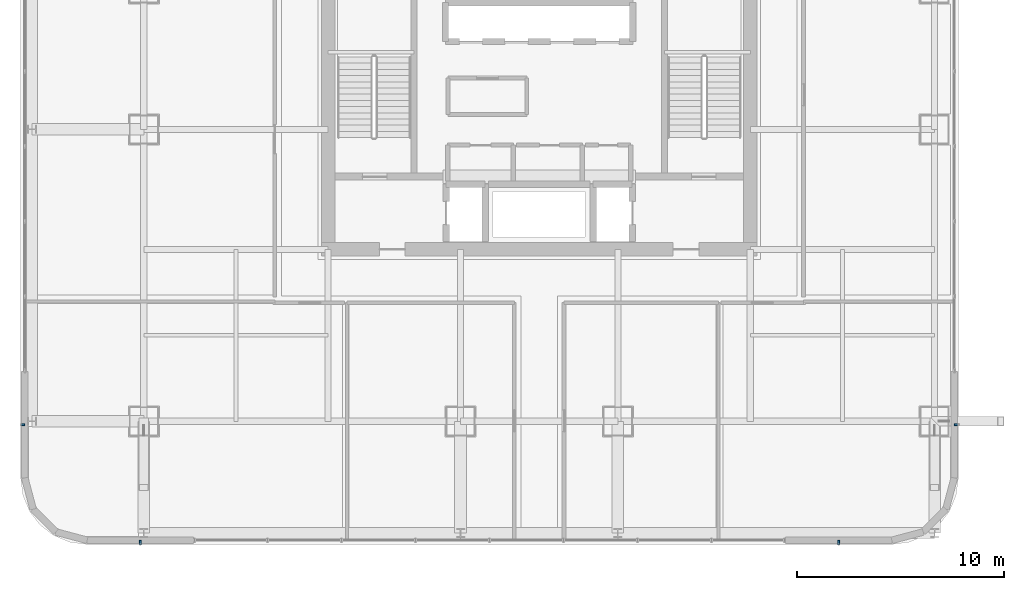
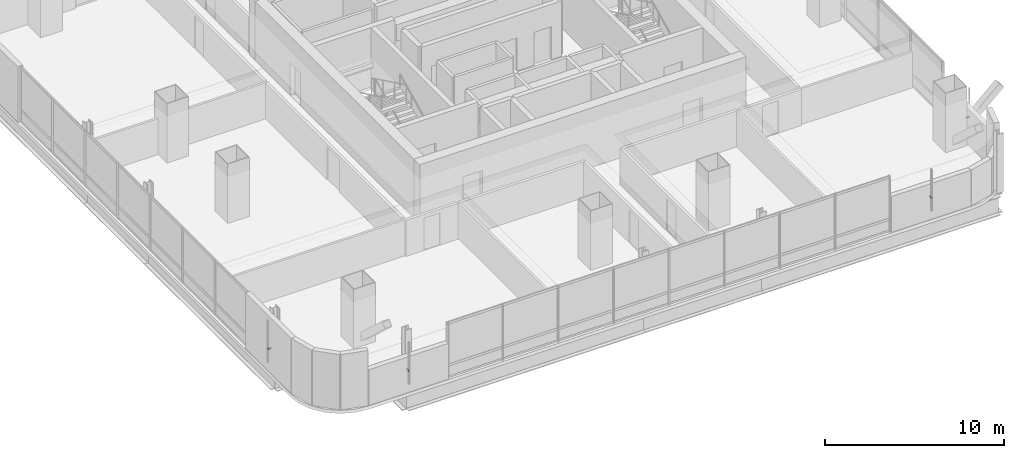
# One storey, part 35 of 46: 4 discrete accessories.
"""IFC4 building model written with IfcOpenShell, lengths in metres."""

from ifc_helpers import new_model, si_unit, direction, frame, origin, origin_2d, place, context, subcontext, project, spatial, rectangle, extrude, material, type_object, element, save


model = new_model("IFC4")

# Units and contexts
model_context = context("Model", 3, precision=1e-05, world=origin(), true_north=direction((0.0, 1.0)))
body_context = subcontext(model_context, "Body", "Model", "MODEL_VIEW")
ifc_project = project(units=[si_unit("LENGTHUNIT", "METRE"), si_unit("AREAUNIT", "SQUARE_METRE"), si_unit("VOLUMEUNIT", "CUBIC_METRE"), si_unit("PLANEANGLEUNIT", "RADIAN"), si_unit("MASSUNIT", "GRAM", prefix="KILO")], contexts=[model_context])

# Site, building, storey
site_placement = place(None, origin())
site = spatial("IfcSite", under=ifc_project, at=site_placement, CompositionType="ELEMENT")
building_placement = place(site_placement, origin())
building = spatial("IfcBuilding", under=site, at=building_placement, Name="Punatoya Terracotta Tower", CompositionType="ELEMENT")
storey_placement = place(building_placement, frame((0.0, 0.0, 200.550048828125)))
storey = spatial("IfcBuildingStorey", under=building, at=storey_placement, Name="L47", CompositionType="ELEMENT", Elevation=200.550048828125)

# Discrete accessories
ifc_material = material(Name="Steel S355", Category="steel")
discrete_accessory_type = type_object("IfcDiscreteAccessoryType", Name="ACC-BRK-220", PredefinedType="BRACKET", material=ifc_material)
for number, where, z_axis, x_axis, name in (
    (1, (-19.2685546875, -23.35009765625, 1.449951171875), (0.0, 0.0, 1.0), (1.0, 0.0, 0.0), "L47 Jali Fin Support Bracket S1"),
    (2, (14.468505859375, -23.35009765625, 1.449951171875), (0.0, 0.0, 1.0), (1.0, 0.0, 0.0), "L47 Jali Fin Support Bracket S2"),
    (3, (20.14990234375, -17.66845703125, 1.449951171875), (0.0, 0.0, 1.0), (0.0, 1.0, 0.0), "L47 Jali Fin Support Bracket E1"),
    (4, (-24.949951171875, -17.66845703125, 1.449951171875), (0.0, 0.0, 1.0), (0.0, -1.0, 0.0), "L47 Jali Fin Support Bracket W2"),
):
    element("IfcDiscreteAccessory", number, at=place(storey_placement, frame(where, z_axis=z_axis, x_axis=x_axis)), inside=storey, type_object=discrete_accessory_type, Name=name, PredefinedType="BRACKET", context=body_context, shape_type="SweptSolid", body=[
        extrude(rectangle(XDim=0.090087890625, YDim=0.219970703125, at=origin_2d()), origin(), (0.0, 0.0, 1.0), 0.10009765625),
    ])

save(model, "model.ifc")
